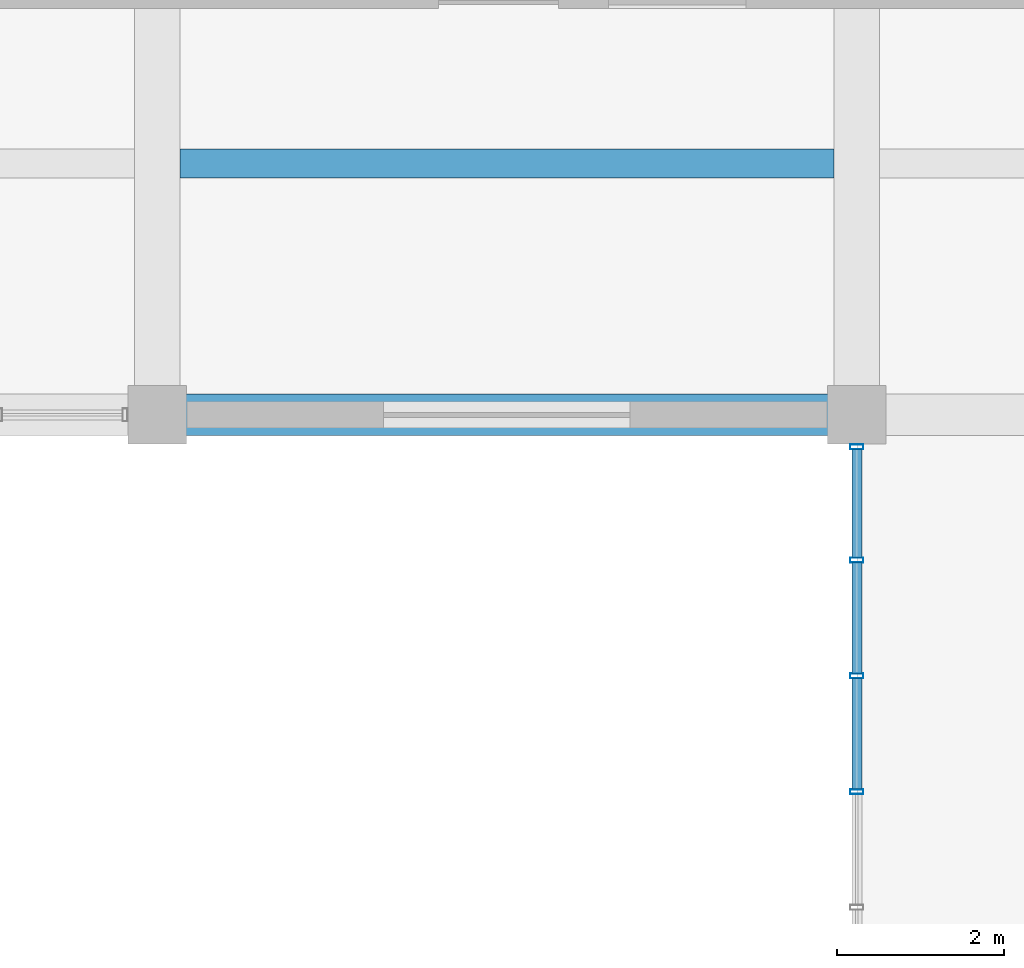
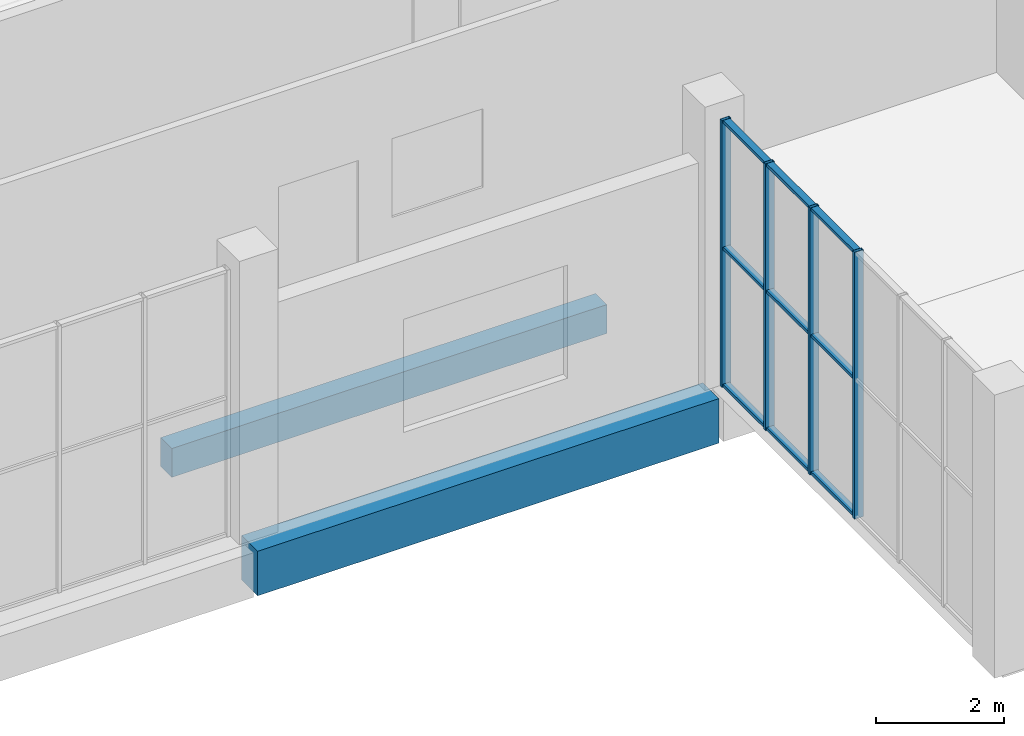
# One storey, part 53 of 91: 13 members, 2 beams, 1 element without a shape of its own.
"""IFC4 building model written with IfcOpenShell, lengths in metres."""

from ifc_helpers import new_model, si_unit, direction, frame, origin, origin_2d, place, context, subcontext, project, spatial, rectangle, hollow_rectangle, extrude, material, material_profile, profile_set, type_object, element, aggregate, save


model = new_model("IFC4")

# Units and contexts
model_context = context("Model", 3, precision=1e-05, world=origin(), true_north=direction((0.0, 1.0)))
body_context = subcontext(model_context, "Body", "Model", "MODEL_VIEW")
ifc_project = project(units=[si_unit("LENGTHUNIT", "METRE"), si_unit("AREAUNIT", "SQUARE_METRE"), si_unit("VOLUMEUNIT", "CUBIC_METRE"), si_unit("PLANEANGLEUNIT", "RADIAN"), si_unit("MASSUNIT", "GRAM", prefix="KILO")], contexts=[model_context])

# Site, building, storey
site_placement = place(None, origin())
site = spatial("IfcSite", under=ifc_project, at=site_placement, CompositionType="ELEMENT")
building_placement = place(site_placement, origin())
building = spatial("IfcBuilding", under=site, at=building_placement, Name="Khurvash Pelagic Aquarium", CompositionType="ELEMENT")
storey_placement = place(building_placement, origin())
storey = spatial("IfcBuildingStorey", under=building, at=storey_placement, Name="L00", CompositionType="ELEMENT", Elevation=0.0)

# Curtain wall, members
ifc_material_1 = material(Name="Anodised aluminium and low-E laminated glass", Category="aluminium")
curtain_wall_type = type_object("IfcCurtainWallType", Name="CW-05", PredefinedType="USERDEFINED", material=ifc_material_1)
curtain_wall_placement = place(storey_placement, origin())
curtain_wall = element("IfcCurtainWall", 1, at=curtain_wall_placement, inside=storey, type_object=curtain_wall_type, Name="L00 Facade Unitised Curtain Wall CW-05 0086", ObjectType="UNITISED CURTAIN WALL", PredefinedType="USERDEFINED")
ifc_material_2 = material(Name="Extruded aluminium AW-6063-T6", Category="aluminium")
ifc_material_profile_1 = material_profile(ifc_material_2, hollow_rectangle(XDim=0.06005859375, YDim=0.159912109375, WallThickness=0.00390625, at=origin_2d()), Name="CWM60X160X4")
ifc_profile_set_1 = profile_set([ifc_material_profile_1], Name="Extruded aluminium AW-6063-T6")
member_type_1 = type_object("IfcMemberType", Name="CM-02", PredefinedType="MULLION", material=ifc_profile_set_1)
member_1_placement = place(storey_placement, frame((100.800048828125, 83.6650390625, 0.0), z_axis=(0.0, 0.0, 1.0), x_axis=(0.0, -1.0, 0.0)))
member_1 = element("IfcMember", 2, at=member_1_placement, type_object=member_type_1, Name="CW-05 mullion 1", PredefinedType="MULLION", context=body_context, shape_type="SweptSolid", body=[
    extrude(hollow_rectangle(XDim=0.06005859375, YDim=0.159912109375, WallThickness=0.00390625, at=origin_2d()), origin(), (0.0, 0.0, 1.0), 5.090087890625),
])
member_2_placement = place(storey_placement, frame((100.800048828125, 82.304931640625, 0.0), z_axis=(0.0, 0.0, 1.0), x_axis=(0.0, -1.0, 0.0)))
member_2 = element("IfcMember", 3, at=member_2_placement, type_object=member_type_1, Name="CW-05 mullion 2", PredefinedType="MULLION", context=body_context, shape_type="SweptSolid", body=[
    extrude(hollow_rectangle(XDim=0.06005859375, YDim=0.159912109375, WallThickness=0.00390625, at=origin_2d()), origin(), (0.0, 0.0, 1.0), 5.090087890625),
])
member_3_placement = place(storey_placement, frame((100.800048828125, 80.9150390625, 0.0), z_axis=(0.0, 0.0, 1.0), x_axis=(0.0, -1.0, 0.0)))
member_3 = element("IfcMember", 4, at=member_3_placement, type_object=member_type_1, Name="CW-05 mullion 3", PredefinedType="MULLION", context=body_context, shape_type="SweptSolid", body=[
    extrude(hollow_rectangle(XDim=0.06005859375, YDim=0.159912109375, WallThickness=0.00390625, at=origin_2d()), origin(), (0.0, 0.0, 1.0), 5.090087890625),
])
member_4_placement = place(storey_placement, frame((100.800048828125, 79.52490234375, 0.0), z_axis=(0.0, 0.0, 1.0), x_axis=(0.0, -1.0, 0.0)))
member_4 = element("IfcMember", 5, at=member_4_placement, type_object=member_type_1, Name="CW-05 mullion 4", PredefinedType="MULLION", context=body_context, shape_type="SweptSolid", body=[
    extrude(hollow_rectangle(XDim=0.06005859375, YDim=0.159912109375, WallThickness=0.00390625, at=origin_2d()), origin(), (0.0, 0.0, 1.0), 5.090087890625),
])
ifc_material_profile_2 = material_profile(ifc_material_2, hollow_rectangle(XDim=0.1201171875, YDim=0.06005859375, WallThickness=0.00390625, at=origin_2d()), Name="CWT120X60X4")
ifc_profile_set_2 = profile_set([ifc_material_profile_2], Name="Extruded aluminium AW-6063-T6")
member_type_2 = type_object("IfcMemberType", Name="CT-02", PredefinedType="USERDEFINED", material=ifc_profile_set_2)
member_5_placement = place(storey_placement, frame((100.800048828125, 83.635009765625, 0.030029296875), z_axis=(0.0, -1.0, 0.0), x_axis=(1.0, 0.0, 0.0)))
member_5 = element("IfcMember", 6, at=member_5_placement, type_object=member_type_2, Name="CW-05 transom 1.1", ObjectType="TRANSOM", PredefinedType="USERDEFINED", context=body_context, shape_type="SweptSolid", body=[
    extrude(hollow_rectangle(XDim=0.1201171875, YDim=0.06005859375, WallThickness=0.00390625, at=origin_2d()), origin(), (0.0, 0.0, 1.0), 1.300048828125),
])
member_6_placement = place(storey_placement, frame((100.800048828125, 83.635009765625, 2.64697265625), z_axis=(0.0, -1.0, 0.0), x_axis=(1.0, 0.0, 0.0)))
member_6 = element("IfcMember", 7, at=member_6_placement, type_object=member_type_2, Name="CW-05 transom 1.2", ObjectType="TRANSOM", PredefinedType="USERDEFINED", context=body_context, shape_type="SweptSolid", body=[
    extrude(hollow_rectangle(XDim=0.1201171875, YDim=0.06005859375, WallThickness=0.00390625, at=origin_2d()), origin(), (0.0, 0.0, 1.0), 1.300048828125),
])
member_7_placement = place(storey_placement, frame((100.800048828125, 83.635009765625, 5.06005859375), z_axis=(0.0, -1.0, 0.0), x_axis=(1.0, 0.0, 0.0)))
member_7 = element("IfcMember", 8, at=member_7_placement, type_object=member_type_2, Name="CW-05 transom 1.3", ObjectType="TRANSOM", PredefinedType="USERDEFINED", context=body_context, shape_type="SweptSolid", body=[
    extrude(hollow_rectangle(XDim=0.1201171875, YDim=0.06005859375, WallThickness=0.00390625, at=origin_2d()), origin(), (0.0, 0.0, 1.0), 1.300048828125),
])
member_8_placement = place(storey_placement, frame((100.800048828125, 82.27490234375, 0.030029296875), z_axis=(0.0, -1.0, 0.0), x_axis=(1.0, 0.0, 0.0)))
member_8 = element("IfcMember", 9, at=member_8_placement, type_object=member_type_2, Name="CW-05 transom 2.1", ObjectType="TRANSOM", PredefinedType="USERDEFINED", context=body_context, shape_type="SweptSolid", body=[
    extrude(hollow_rectangle(XDim=0.1201171875, YDim=0.06005859375, WallThickness=0.00390625, at=origin_2d()), origin(), (0.0, 0.0, 1.0), 1.329833984375),
])
member_9_placement = place(storey_placement, frame((100.800048828125, 82.27490234375, 2.64697265625), z_axis=(0.0, -1.0, 0.0), x_axis=(1.0, 0.0, 0.0)))
member_9 = element("IfcMember", 10, at=member_9_placement, type_object=member_type_2, Name="CW-05 transom 2.2", ObjectType="TRANSOM", PredefinedType="USERDEFINED", context=body_context, shape_type="SweptSolid", body=[
    extrude(hollow_rectangle(XDim=0.1201171875, YDim=0.06005859375, WallThickness=0.00390625, at=origin_2d()), origin(), (0.0, 0.0, 1.0), 1.329833984375),
])
member_10_placement = place(storey_placement, frame((100.800048828125, 82.27490234375, 5.06005859375), z_axis=(0.0, -1.0, 0.0), x_axis=(1.0, 0.0, 0.0)))
member_10 = element("IfcMember", 11, at=member_10_placement, type_object=member_type_2, Name="CW-05 transom 2.3", ObjectType="TRANSOM", PredefinedType="USERDEFINED", context=body_context, shape_type="SweptSolid", body=[
    extrude(hollow_rectangle(XDim=0.1201171875, YDim=0.06005859375, WallThickness=0.00390625, at=origin_2d()), origin(), (0.0, 0.0, 1.0), 1.329833984375),
])
member_11_placement = place(storey_placement, frame((100.800048828125, 80.885009765625, 0.030029296875), z_axis=(0.0, -1.0, 0.0), x_axis=(1.0, 0.0, 0.0)))
member_11 = element("IfcMember", 12, at=member_11_placement, type_object=member_type_2, Name="CW-05 transom 3.1", ObjectType="TRANSOM", PredefinedType="USERDEFINED", context=body_context, shape_type="SweptSolid", body=[
    extrude(hollow_rectangle(XDim=0.1201171875, YDim=0.06005859375, WallThickness=0.00390625, at=origin_2d()), origin(), (0.0, 0.0, 1.0), 1.330078125),
])
member_12_placement = place(storey_placement, frame((100.800048828125, 80.885009765625, 2.64697265625), z_axis=(0.0, -1.0, 0.0), x_axis=(1.0, 0.0, 0.0)))
member_12 = element("IfcMember", 13, at=member_12_placement, type_object=member_type_2, Name="CW-05 transom 3.2", ObjectType="TRANSOM", PredefinedType="USERDEFINED", context=body_context, shape_type="SweptSolid", body=[
    extrude(hollow_rectangle(XDim=0.1201171875, YDim=0.06005859375, WallThickness=0.00390625, at=origin_2d()), origin(), (0.0, 0.0, 1.0), 1.330078125),
])
member_13_placement = place(storey_placement, frame((100.800048828125, 80.885009765625, 5.06005859375), z_axis=(0.0, -1.0, 0.0), x_axis=(1.0, 0.0, 0.0)))
member_13 = element("IfcMember", 14, at=member_13_placement, type_object=member_type_2, Name="CW-05 transom 3.3", ObjectType="TRANSOM", PredefinedType="USERDEFINED", context=body_context, shape_type="SweptSolid", body=[
    extrude(hollow_rectangle(XDim=0.1201171875, YDim=0.06005859375, WallThickness=0.00390625, at=origin_2d()), origin(), (0.0, 0.0, 1.0), 1.330078125),
])
aggregate(curtain_wall, [member_1, member_2, member_3, member_4, member_5, member_6, member_7, member_8, member_9, member_10, member_11, member_12, member_13])

# Beams
ifc_material_3 = material(Name="Concrete C35/45", Category="concrete")
ifc_material_profile_3 = material_profile(ifc_material_3, rectangle(XDim=0.35009765625, YDim=0.550048828125, at=origin_2d()), Name="RC350X550")
ifc_profile_set_3 = profile_set([ifc_material_profile_3], Name="Concrete C35/45")
beam_type_1 = type_object("IfcBeamType", Name="JS-01", PredefinedType="JOIST", material=ifc_profile_set_3)
beam_1_placement = place(storey_placement, frame((92.675048828125, 87.06689453125, -0.594970703125), z_axis=(1.0, 0.0, 0.0), x_axis=(0.0, 1.0, 0.0)))
element("IfcBeam", 15, at=beam_1_placement, inside=storey, type_object=beam_type_1, Name="L00 Floor Joist JS-01 00223", PredefinedType="JOIST", context=body_context, shape_type="SweptSolid", body=[
    extrude(rectangle(XDim=0.35009765625, YDim=0.550048828125, at=origin_2d()), origin(), (0.0, 0.0, 1.0), 7.849853515625),
])
ifc_material_4 = material(Name="Concrete C40/50", Category="concrete")
ifc_material_profile_4 = material_profile(ifc_material_4, rectangle(XDim=0.5, YDim=0.85009765625, at=origin_2d()), Name="RC500X850")
ifc_profile_set_4 = profile_set([ifc_material_profile_4], Name="Concrete C40/50")
beam_type_2 = type_object("IfcBeamType", Name="SEB-03", PredefinedType="SPANDREL", material=ifc_profile_set_4)
beam_2_placement = place(storey_placement, frame((92.43994140625, 84.050048828125, -0.7451171875), z_axis=(1.0, 0.0, 0.0), x_axis=(0.0, 1.0, 0.0)))
element("IfcBeam", 16, at=beam_2_placement, inside=storey, type_object=beam_type_2, Name="L00 Primary Girder SEB-03 00054", PredefinedType="SPANDREL", context=body_context, shape_type="SweptSolid", body=[
    extrude(rectangle(XDim=0.5, YDim=0.85009765625, at=origin_2d()), origin(), (0.0, 0.0, 1.0), 8.320068359375),
])

save(model, "model.ifc")
